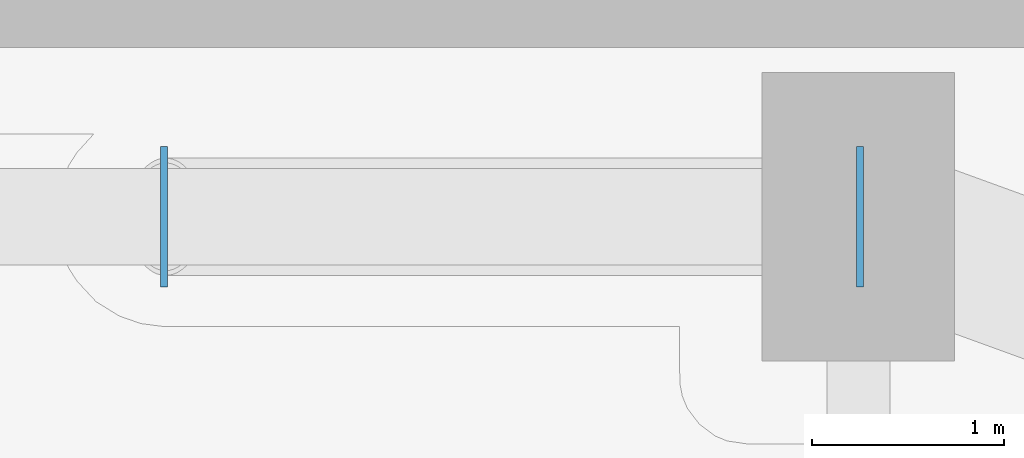
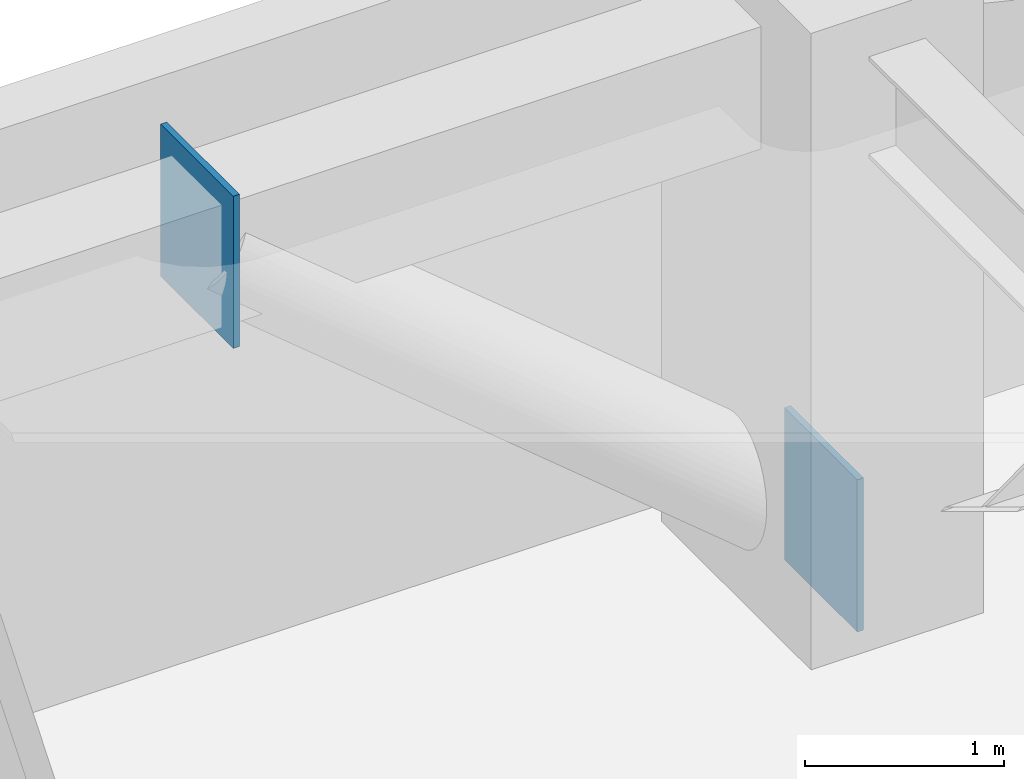
# One storey, part 17 of 24: 2 plates.
"""IFC4 building model written with IfcOpenShell, lengths in metres."""

from ifc_helpers import new_model, si_unit, direction, frame, origin, origin_2d, place, context, subcontext, project, spatial, rectangle, extrude, material, layer, layer_set, type_object, element, save


model = new_model("IFC4")

# Units and contexts
model_context = context("Model", 3, precision=1e-05, world=origin(), true_north=direction((0.0, 1.0)))
body_context = subcontext(model_context, "Body", "Model", "MODEL_VIEW")
ifc_project = project(units=[si_unit("LENGTHUNIT", "METRE"), si_unit("AREAUNIT", "SQUARE_METRE"), si_unit("VOLUMEUNIT", "CUBIC_METRE"), si_unit("PLANEANGLEUNIT", "RADIAN"), si_unit("MASSUNIT", "GRAM", prefix="KILO")], contexts=[model_context])

# Site, building, storey
site_placement = place(None, origin())
site = spatial("IfcSite", under=ifc_project, at=site_placement, CompositionType="ELEMENT")
building_placement = place(site_placement, origin())
building = spatial("IfcBuilding", under=site, at=building_placement, Name="Kiyonajd Concourse Tower", CompositionType="ELEMENT")
storey_placement = place(building_placement, frame((0.0, 0.0, 89.699951171875)))
storey = spatial("IfcBuildingStorey", under=building, at=storey_placement, Name="L23", CompositionType="ELEMENT", Elevation=89.699951171875)

# Plates
ifc_material = material(Name="Steel ASTM A572 Grade 50", Category="steel")
ifc_layer = layer(ifc_material, 0.028076171875)
ifc_layer_set = layer_set([ifc_layer], Name="Steel ASTM A572 Grade 50")
plate_type = type_object("IfcPlateType", Name="PL-CAP-450", PredefinedType="USERDEFINED", material=ifc_layer_set)
for number, where, z_axis, x_axis, name in (
    (1, (63.6083984375, 61.199951171875, -0.173583984375), (0.0, 0.0, 1.0), (1.0, 0.0, 0.0), "L23 Hollow Brace End Cap Plate PBN"),
    (2, (59.991455078125, 61.199951171875, 2.83056640625), (0.0, 0.0, 1.0), (-1.0, 0.0, 0.0), "L23 Hollow Brace Top Cap Plate PBN"),
):
    element("IfcPlate", number, at=place(storey_placement, frame(where, z_axis=z_axis, x_axis=x_axis)), inside=storey, type_object=plate_type, Name=name, ObjectType="CAP PLATE", PredefinedType="USERDEFINED", context=body_context, shape_type="SweptSolid", body=[
        extrude(rectangle(XDim=0.035888671875, YDim=0.72998046875, at=origin_2d()), origin(), (0.0, 0.0, 1.0), 0.93310546875),
    ])

save(model, "model.ifc")
